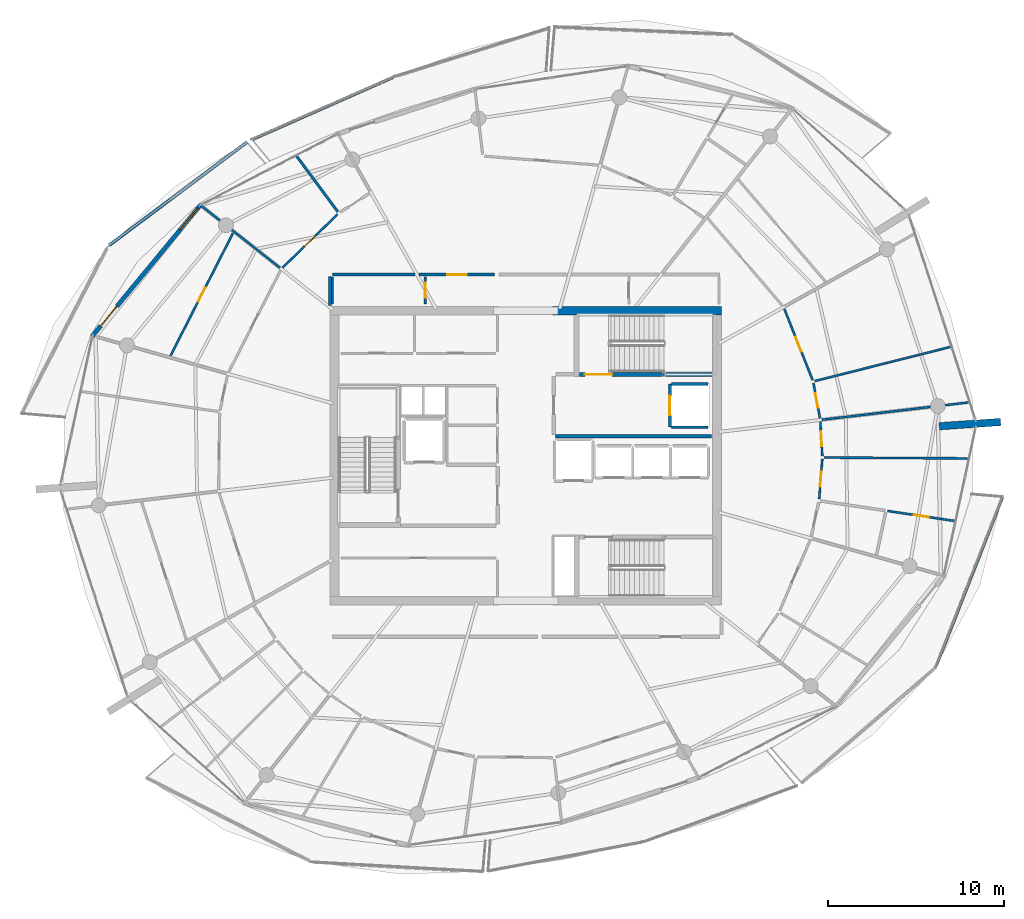
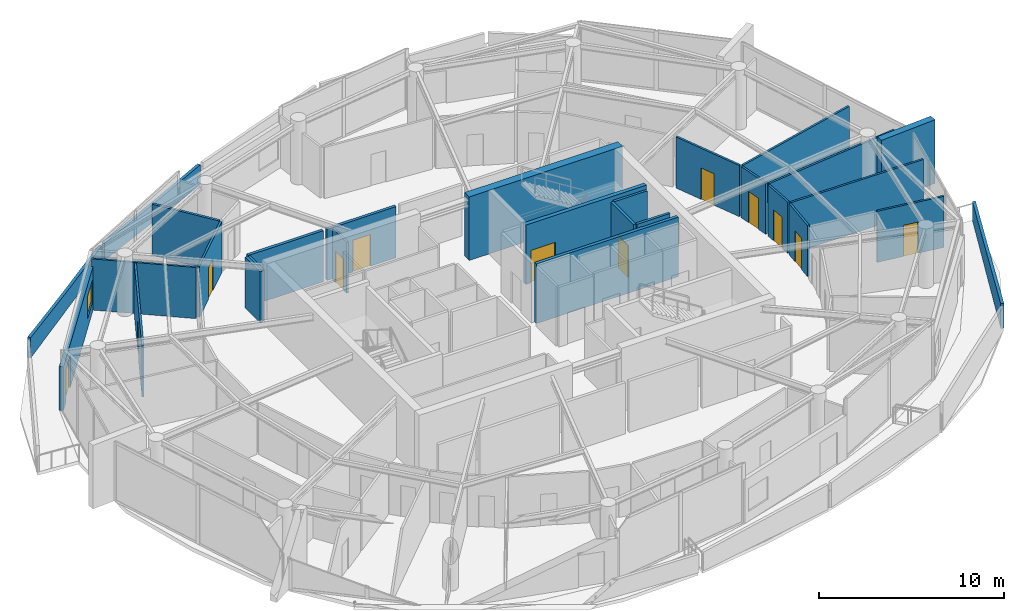
# One storey, part 13 of 20: 28 walls, 12 doors, 1 window, 13 openings.
"""IFC4 building model written with IfcOpenShell, lengths in metres."""

from ifc_helpers import new_model, si_unit, direction, frame, frame_2d, origin, place, context, subcontext, project, spatial, polyline, rectangle, outline, extrude, material, layer, layer_set, type_object, element, fill, save


model = new_model("IFC4")

# Units and contexts
model_context = context("Model", 3, precision=1e-05, world=origin(), true_north=direction((0.0, 1.0)))
body_context = subcontext(model_context, "Body", "Model", "MODEL_VIEW")
ifc_project = project(units=[si_unit("LENGTHUNIT", "METRE"), si_unit("AREAUNIT", "SQUARE_METRE"), si_unit("VOLUMEUNIT", "CUBIC_METRE"), si_unit("PLANEANGLEUNIT", "RADIAN"), si_unit("MASSUNIT", "GRAM", prefix="KILO")], contexts=[model_context])

# Site, building, storey
site_placement = place(None, origin())
site = spatial("IfcSite", under=ifc_project, at=site_placement, CompositionType="ELEMENT")
building_placement = place(site_placement, origin())
building = spatial("IfcBuilding", under=site, at=building_placement, Name="Kazma Halo Residences", CompositionType="ELEMENT")
storey_placement = place(building_placement, frame((0.0, 0.0, 317.89990234375)))
storey = spatial("IfcBuildingStorey", under=building, at=storey_placement, Name="L80", CompositionType="ELEMENT", Elevation=317.89990234375)

# Walls
ifc_material_1 = material(Name="White Concrete C50/60 Balustrade", Category="concrete")
ifc_layer_1 = layer(ifc_material_1, 0.179931640625)
ifc_layer_set_1 = layer_set([ifc_layer_1], Name="White Concrete C50/60 Balustrade")
wall_type_1 = type_object("IfcWallType", Name="WL-BAL-WAVE-180", PredefinedType="PARAPET", material=ifc_layer_set_1)
wall_1_placement = place(storey_placement, frame((40.879150390625, 63.529052734375, 0.0), z_axis=(0.0, 0.0, 1.0), x_axis=(-0.914812827608, -0.403878063831, 0.0)))
element("IfcWall", 1, at=wall_1_placement, inside=storey, type_object=wall_type_1, Name="L80 white wave balustrade wall NNW.2", PredefinedType="PARAPET", context=body_context, shape_type="SweptSolid", body=[
    extrude(outline(polyline([(0.0, 0.0), (8.79345703125, 0.0), (8.793701171875, 1.1201171875), (4.396728515625, 1.18212890625), (0.0, 1.34814453125), (0.0, 0.0)])), frame((0.0, 0.08984375, 0.0), z_axis=(0.0, -1.0, 0.0), x_axis=(1.0, 0.0, 0.0)), (0.0, 0.0, 1.0), 0.179931640625),
])
wall_2_placement = place(storey_placement, frame((32.572998046875, 59.841064453125, 0.0), z_axis=(0.0, 0.0, 1.0), x_axis=(-0.800350065213, -0.599532962491, 0.0)))
element("IfcWall", 2, at=wall_2_placement, inside=storey, type_object=wall_type_1, Name="L80 white wave balustrade wall NW.1", PredefinedType="PARAPET", context=body_context, shape_type="SweptSolid", body=[
    extrude(outline(polyline([(0.0, 0.0), (9.787841796875, 0.0), (9.787841796875, 1.34814453125), (4.89404296875, 1.18212890625), (0.0, 1.1201171875), (0.0, 0.0)])), frame((0.0, 0.08984375, 0.0), z_axis=(0.0, -1.0, 0.0), x_axis=(1.0, 0.0, 0.0)), (0.0, 0.0, 1.0), 0.179931640625),
])
wall_3_placement = place(storey_placement, frame((71.75537109375, 30.030029296875, 0.0), z_axis=(0.0, 0.0, 1.0), x_axis=(0.36569397139, 0.930735149916, 0.0)))
element("IfcWall", 3, at=wall_3_placement, inside=storey, type_object=wall_type_1, Name="L80 white wave balustrade wall SE.2", PredefinedType="PARAPET", context=body_context, shape_type="SweptSolid", body=[
    extrude(outline(polyline([(0.0, 0.0), (10.349853515625, 0.0), (10.35009765625, 1.233154296875), (5.175048828125, 1.418212890625), (0.0, 1.632080078125), (0.0, 0.0)])), frame((0.0, 0.08984375, 0.0), z_axis=(0.0, -1.0, 0.0), x_axis=(1.0, 0.0, 0.0)), (0.0, 0.0, 1.0), 0.179931640625),
])
ifc_material_2 = material(Name="Pale Concrete C60/75", Category="concrete")
ifc_layer_2 = layer(ifc_material_2, 0.419921875)
ifc_layer_set_2 = layer_set([ifc_layer_2], Name="Pale Concrete C60/75")
wall_type_2 = type_object("IfcWallType", Name="WL-BLADE-420", PredefinedType="SOLIDWALL", material=ifc_layer_set_2)
wall_4_placement = place(storey_placement, frame((71.94091796875, 43.674072265625, 0.0), z_axis=(0.0, 0.0, 1.0), x_axis=(0.997564163539, 0.069754853754, 0.0)))
element("IfcWall", 4, at=wall_4_placement, inside=storey, type_object=wall_type_2, Name="L80 pale concrete structural blade fin wall BW-04", PredefinedType="SOLIDWALL", context=body_context, shape_type="SweptSolid", body=[
    extrude(rectangle(XDim=3.5, YDim=0.419921875, at=frame_2d((1.75, 0.0))), origin(), (0.0, 0.0, 1.0), 4.2001953125),
])
ifc_material_3 = material(Name="Concrete C60/75", Category="concrete")
ifc_layer_3 = layer(ifc_material_3, 0.5)
ifc_layer_set_3 = layer_set([ifc_layer_3], Name="Concrete C60/75")
wall_type_3 = type_object("IfcWallType", Name="WL-CORE-500", PredefinedType="SHEAR", material=ifc_layer_set_3)
wall_5_placement = place(storey_placement, frame((49.949951171875, 50.25, 0.0), z_axis=(0.0, 0.0, 1.0), x_axis=(1.0, 0.0, 0.0)))
element("IfcWall", 5, at=wall_5_placement, inside=storey, type_object=wall_type_3, Name="L80 central core shear wall NE", PredefinedType="SHEAR", context=body_context, shape_type="SweptSolid", body=[
    extrude(rectangle(XDim=9.60009765625, YDim=0.5, at=frame_2d((4.800048828125, 0.0))), origin(), (0.0, 0.0, 1.0), 4.2001953125),
])

# Wall, opening, door
ifc_material_4 = material(Name="Acoustic Twin-Stud Gypsum")
ifc_layer_4 = layer(ifc_material_4, 0.179931640625)
ifc_layer_set_4 = layer_set([ifc_layer_4], Name="Acoustic Twin-Stud Gypsum")
wall_type_4 = type_object("IfcWallType", Name="WL-DEM-180", PredefinedType="PARTITIONING", material=ifc_layer_set_4)
wall_6_placement = place(storey_placement, frame((46.660888671875, 52.300048828125, 0.0), z_axis=(0.0, 0.0, 1.0), x_axis=(-1.0, 0.0, 0.0)))
wall_6 = element("IfcWall", 6, at=wall_6_placement, inside=storey, type_object=wall_type_4, Name="L80 Penthouse 1 entrance corridor wall", PredefinedType="PARTITIONING", context=body_context, shape_type="SweptSolid", body=[
    extrude(rectangle(XDim=4.30908203125, YDim=0.179931640625, at=frame_2d((2.154541015625, 0.0))), origin(), (0.0, 0.0, 1.0), 3.380126953125),
])
opening_1_placement = place(wall_6_placement, frame((1.6044921875, 0.0, 0.0)))
opening_1 = element("IfcOpeningElement", 7, at=opening_1_placement, cuts=wall_6, Name="Opening DA-1100", PredefinedType="OPENING", context=body_context, shape_type="SweptSolid", body=[
    extrude(rectangle(XDim=1.10009765625, YDim=2.10009765625, at=frame_2d((0.550048828125, 1.050048828125))), frame((0.0, 0.099853515625, 0.0), z_axis=(0.0, -1.0, 0.0), x_axis=(1.0, 0.0, 0.0)), (0.0, 0.0, 1.0), 0.199951171875),
])
ifc_material_5 = material(Name="Acoustic Walnut Fire Leaf")
door_type_1 = type_object("IfcDoorType", Name="DR-FD60-1100", OperationType="NOTDEFINED", PredefinedType="DOOR", material=ifc_material_5)
door_1_placement = place(opening_1_placement, origin())
door_1 = element("IfcDoor", 8, at=door_1_placement, inside=storey, type_object=door_type_1, Name="L80 Penthouse 1 entrance fire door", OperationType="SINGLE_SWING_RIGHT", OverallHeight=2.10009765625, OverallWidth=1.10009765625, PredefinedType="DOOR", context=body_context, shape_type="SweptSolid", body=[
    extrude(rectangle(XDim=1.10009765625, YDim=2.10009765625, at=frame_2d((0.550048828125, 1.050048828125))), frame((0.0, 0.02490234375, 0.0), z_axis=(0.0, -1.0, 0.0), x_axis=(1.0, 0.0, 0.0)), (0.0, 0.0, 1.0), 0.050048828125),
])
fill(opening_1, door_1)

# Walls
wall_7_placement = place(storey_placement, frame((42.11181640625, 52.300048828125, 0.0), z_axis=(0.0, 0.0, 1.0), x_axis=(-1.0, 0.0, 0.0)))
element("IfcWall", 9, at=wall_7_placement, inside=storey, type_object=wall_type_4, Name="L80 Penthouse 1 inner wall 4", PredefinedType="PARTITIONING", context=body_context, shape_type="SweptSolid", body=[
    extrude(rectangle(XDim=4.69189453125, YDim=0.179931640625, at=frame_2d((2.345947265625, 0.0))), origin(), (0.0, 0.0, 1.0), 3.380126953125),
])
wall_8_placement = place(storey_placement, frame((37.300048828125, 52.179931640625, 0.0), z_axis=(0.0, 0.0, 1.0), x_axis=(0.0, -1.0, 0.0)))
element("IfcWall", 10, at=wall_8_placement, inside=storey, type_object=wall_type_4, Name="L80 Penthouse 1 inner wall 4", PredefinedType="PARTITIONING", context=body_context, shape_type="SweptSolid", body=[
    extrude(rectangle(XDim=1.624755859375, YDim=0.179931640625, at=frame_2d((0.8125, 0.0))), origin(), (0.0, 0.0, 1.0), 3.380126953125),
])

# Wall, openings, door, window
ifc_material_6 = material(Name="Insulated Pale-Metal Composite Wall")
ifc_layer_5 = layer(ifc_material_6, 0.239990234375)
ifc_layer_set_5 = layer_set([ifc_layer_5], Name="Insulated Pale-Metal Composite Wall")
wall_type_5 = type_object("IfcWallType", Name="WL-EXT-HOST-240", PredefinedType="SOLIDWALL", material=ifc_layer_set_5)
wall_9_placement = place(storey_placement, frame((29.955322265625, 56.288818359375, 0.0), z_axis=(0.0, 0.0, 1.0), x_axis=(-0.636803612721, -0.771026042897, 0.0)))
wall_9 = element("IfcWall", 11, at=wall_9_placement, inside=storey, type_object=wall_type_5, Name="L80 exterior terrace-access wall B06", PredefinedType="SOLIDWALL", context=body_context, shape_type="SweptSolid", body=[
    extrude(rectangle(XDim=9.7275390625, YDim=0.239990234375, at=frame_2d((4.86376953125, 0.0))), origin(), (0.0, 0.0, 1.0), 2.89013671875),
])
opening_2_placement = place(wall_9_placement, frame((7.5078125, 0.0, 0.0)))
opening_2 = element("IfcOpeningElement", 12, at=opening_2_placement, cuts=wall_9, Name="Opening DTR-1600", PredefinedType="OPENING", context=body_context, shape_type="SweptSolid", body=[
    extrude(rectangle(XDim=1.449951171875, YDim=2.14990234375, at=frame_2d((0.72509765625, 1.074951171875))), frame((0.0, 0.1298828125, 0.0), z_axis=(0.0, -1.0, 0.0), x_axis=(1.0, 0.0, 0.0)), (0.0, 0.0, 1.0), 0.260009765625),
])
opening_3_placement = place(wall_9_placement, frame((0.280029296875, 0.0, 0.64990234375)))
opening_3 = element("IfcOpeningElement", 13, at=opening_3_placement, cuts=wall_9, Name="Opening W-1800", PredefinedType="OPENING", context=body_context, shape_type="SweptSolid", body=[
    extrude(rectangle(XDim=1.60009765625, YDim=1.5, at=frame_2d((0.800048828125, 0.75))), frame((0.0, 0.1298828125, 0.0), z_axis=(0.0, -1.0, 0.0), x_axis=(1.0, 0.0, 0.0)), (0.0, 0.0, 1.0), 0.260009765625),
])
ifc_material_7 = material(Name="Aluminium AW-6063 T6 Double-Glazed Terrace Door", Category="aluminium")
door_type_2 = type_object("IfcDoorType", Name="DR-EXT-TERR-1600", OperationType="NOTDEFINED", PredefinedType="DOOR", material=ifc_material_7)
door_2_placement = place(opening_2_placement, origin())
door_2 = element("IfcDoor", 14, at=door_2_placement, inside=storey, type_object=door_type_2, Name="L80 B06 balcony terrace door", OperationType="DOUBLE_DOOR_SLIDING", OverallHeight=2.14990234375, OverallWidth=1.449951171875, PredefinedType="DOOR", context=body_context, shape_type="SweptSolid", body=[
    extrude(rectangle(XDim=1.449951171875, YDim=2.14990234375, at=frame_2d((0.72509765625, 1.074951171875))), frame((0.0, 0.02490234375, 0.0), z_axis=(0.0, -1.0, 0.0), x_axis=(1.0, 0.0, 0.0)), (0.0, 0.0, 1.0), 0.050048828125),
])
fill(opening_2, door_2)
ifc_material_8 = material(Name="Clear Triple-Silver Low-E Glass in Aluminium AW-6063 T6 Frame", Category="aluminium")
window_type = type_object("IfcWindowType", Name="WIN-RES-1800", PartitioningType="DOUBLE_PANEL_VERTICAL", PredefinedType="WINDOW", material=ifc_material_8)
window_placement = place(opening_3_placement, origin())
window = element("IfcWindow", 15, at=window_placement, inside=storey, type_object=window_type, Name="L80 B06 apartment window", OverallHeight=1.5, OverallWidth=1.60009765625, PartitioningType="SINGLE_PANEL", PredefinedType="WINDOW", context=body_context, shape_type="SweptSolid", body=[
    extrude(rectangle(XDim=1.60009765625, YDim=1.5, at=frame_2d((0.800048828125, 0.75))), frame((0.0, 0.030029296875, 0.0), z_axis=(0.0, -1.0, 0.0), x_axis=(1.0, 0.0, 0.0)), (0.0, 0.0, 1.0), 0.06005859375),
])
fill(opening_3, window)

# Wall, opening, door
ifc_material_9 = material(Name="Fire-Rated Blockwork Masonry", Category="masonry")
ifc_layer_6 = layer(ifc_material_9, 0.199951171875)
ifc_layer_set_6 = layer_set([ifc_layer_6], Name="Fire-Rated Blockwork Masonry")
wall_type_6 = type_object("IfcWallType", Name="WL-FLB-200", PredefinedType="PARTITIONING", material=ifc_layer_set_6)
wall_10_placement = place(storey_placement, frame((56.6201171875, 46.080078125, 0.0), z_axis=(0.0, 0.0, 1.0), x_axis=(0.0, -1.0, 0.0)))
wall_10 = element("IfcWall", 16, at=wall_10_placement, inside=storey, type_object=wall_type_6, Name="L80 lift shaft FL-02 front wall", PredefinedType="PARTITIONING", context=body_context, shape_type="SweptSolid", body=[
    extrude(rectangle(XDim=2.4599609375, YDim=0.159912109375, at=frame_2d((1.22998046875, 0.0))), origin(), (0.0, 0.0, 1.0), 3.940185546875),
])
opening_4_placement = place(wall_10_placement, frame((0.679931640625, 0.0, 0.0)))
opening_4 = element("IfcOpeningElement", 17, at=opening_4_placement, cuts=wall_10, Name="Opening LD-FL-02", PredefinedType="OPENING", context=body_context, shape_type="SweptSolid", body=[
    extrude(rectangle(XDim=1.10009765625, YDim=2.10009765625, at=frame_2d((0.550048828125, 1.050048828125))), frame((0.0, 0.08984375, 0.0), z_axis=(0.0, -1.0, 0.0), x_axis=(1.0, 0.0, 0.0)), (0.0, 0.0, 1.0), 0.179931640625),
])
ifc_material_10 = material(Name="Stainless Steel Fire-Rated", Category="steel")
door_type_3 = type_object("IfcDoorType", Name="DR-LIFT-SLD-1100", OperationType="DOUBLE_DOOR_SLIDING", PredefinedType="DOOR", material=ifc_material_10)
door_3_placement = place(opening_4_placement, origin())
door_3 = element("IfcDoor", 18, at=door_3_placement, inside=storey, type_object=door_type_3, Name="L80 lift FL-02 sliding landing door", OperationType="DOUBLE_DOOR_SLIDING", OverallHeight=2.10009765625, OverallWidth=1.10009765625, PredefinedType="DOOR", context=body_context, shape_type="SweptSolid", body=[
    extrude(rectangle(XDim=1.10009765625, YDim=2.10009765625, at=frame_2d((0.550048828125, 1.050048828125))), frame((0.0, 0.02490234375, 0.0), z_axis=(0.0, -1.0, 0.0), x_axis=(1.0, 0.0, 0.0)), (0.0, 0.0, 1.0), 0.050048828125),
])
fill(opening_4, door_3)

# Walls
for number, where, z_axis, x_axis, name in (
    (19, (56.719970703125, 46.080078125, 0.0), (0.0, 0.0, 1.0), (1.0, 0.0, 0.0), "L80 lift shaft FL-02 side wall N"),
    (20, (56.719970703125, 43.6201171875, 0.0), (0.0, 0.0, 1.0), (1.0, 0.0, 0.0), "L80 lift shaft FL-02 side wall S"),
):
    element("IfcWall", number, at=place(storey_placement, frame(where, z_axis=z_axis, x_axis=x_axis)), inside=storey, type_object=wall_type_6, Name=name, PredefinedType="PARTITIONING", context=body_context, shape_type="SweptSolid", body=[
        extrude(rectangle(XDim=2.06005859375, YDim=0.159912109375, at=frame_2d((1.030029296875, 0.0))), origin(), (0.0, 0.0, 1.0), 3.940185546875),
    ])
wall_11_placement = place(storey_placement, frame((50.1201171875, 43.1201171875, 0.0), z_axis=(0.0, 0.0, 1.0), x_axis=(1.0, 0.0, 0.0)))
element("IfcWall", 21, at=wall_11_placement, inside=storey, type_object=wall_type_6, Name="L80 east firefighting lobby south smoke wall", PredefinedType="PARTITIONING", context=body_context, shape_type="SweptSolid", body=[
    extrude(rectangle(XDim=8.8798828125, YDim=0.199951171875, at=frame_2d((4.43994140625, 0.0))), origin(), (0.0, 0.0, 1.0), 3.940185546875),
])
ifc_material_11 = material(Name="Gypsum Plasterboard Partition")
ifc_layer_7 = layer(ifc_material_11, 0.125)
ifc_layer_set_7 = layer_set([ifc_layer_7], Name="Gypsum Plasterboard Partition")
wall_type_7 = type_object("IfcWallType", Name="WL-PART-125", PredefinedType="PARTITIONING", material=ifc_layer_set_7)
wall_12_placement = place(storey_placement, frame((37.43994140625, 50.6201171875, 0.0), z_axis=(0.0, 0.0, 1.0), x_axis=(0.0, 1.0, 0.0)))
element("IfcWall", 22, at=wall_12_placement, inside=storey, type_object=wall_type_7, Name="L80 west linen end wall", PredefinedType="PARTITIONING", context=body_context, shape_type="SweptSolid", body=[
    extrude(rectangle(XDim=1.539794921875, YDim=0.125, at=frame_2d((0.77001953125, 0.0))), origin(), (0.0, 0.0, 1.0), 3.380126953125),
])

# Wall, opening, door
wall_13_placement = place(storey_placement, frame((42.7099609375, 50.639892578125, 0.0), z_axis=(0.0, 0.0, 1.0), x_axis=(0.0, 1.0, 0.0)))
wall_13 = element("IfcWall", 23, at=wall_13_placement, inside=storey, type_object=wall_type_7, Name="L80 floor linen store door wall", PredefinedType="PARTITIONING", context=body_context, shape_type="SweptSolid", body=[
    extrude(rectangle(XDim=1.52001953125, YDim=0.125, at=frame_2d((0.760009765625, 0.0))), origin(), (0.0, 0.0, 1.0), 3.380126953125),
])
opening_5_placement = place(wall_13_placement, frame((0.3349609375, 0.0, 0.0)))
opening_5 = element("IfcOpeningElement", 24, at=opening_5_placement, cuts=wall_13, Name="Opening DS-850", PredefinedType="OPENING", context=body_context, shape_type="SweptSolid", body=[
    extrude(rectangle(XDim=0.85009765625, YDim=2.06005859375, at=frame_2d((0.425048828125, 1.030029296875))), frame((0.0, 0.072509765625, 0.0), z_axis=(0.0, -1.0, 0.0), x_axis=(1.0, 0.0, 0.0)), (0.0, 0.0, 1.0), 0.14501953125),
])
ifc_material_12 = material(Name="Painted Steel Access Leaf", Category="steel")
door_type_4 = type_object("IfcDoorType", Name="DR-SVC-850", OperationType="NOTDEFINED", PredefinedType="DOOR", material=ifc_material_12)
door_4_placement = place(opening_5_placement, origin())
door_4 = element("IfcDoor", 25, at=door_4_placement, inside=storey, type_object=door_type_4, Name="L80 floor linen store door", OperationType="SINGLE_SWING_LEFT", OverallHeight=2.06005859375, OverallWidth=0.85009765625, PredefinedType="DOOR", context=body_context, shape_type="SweptSolid", body=[
    extrude(rectangle(XDim=0.85009765625, YDim=2.06005859375, at=frame_2d((0.425048828125, 1.030029296875))), frame((0.0, 0.02490234375, 0.0), z_axis=(0.0, -1.0, 0.0), x_axis=(1.0, 0.0, 0.0)), (0.0, 0.0, 1.0), 0.050048828125),
])
fill(opening_5, door_4)

wall_14_placement = place(storey_placement, frame((37.727783203125, 55.73486328125, 0.0), z_axis=(0.0, 0.0, 1.0), x_axis=(-0.717843655189, -0.696204342636, 0.0)))
wall_14 = element("IfcWall", 26, at=wall_14_placement, inside=storey, type_object=wall_type_7, Name="L80 Penthouse 1 North Master Bedroom hall wall", PredefinedType="PARTITIONING", context=body_context, shape_type="SweptSolid", body=[
    extrude(rectangle(XDim=4.3662109375, YDim=0.125, at=frame_2d((2.18310546875, 0.0))), origin(), (0.0, 0.0, 1.0), 3.380126953125),
])
opening_6_placement = place(wall_14_placement, frame((1.733154296875, 0.0, 0.0)))
opening_6 = element("IfcOpeningElement", 27, at=opening_6_placement, cuts=wall_14, Name="Opening DI-950", PredefinedType="OPENING", context=body_context, shape_type="SweptSolid", body=[
    extrude(rectangle(XDim=0.89990234375, YDim=2.080078125, at=frame_2d((0.449951171875, 1.0400390625))), frame((0.0, 0.072509765625, 0.0), z_axis=(0.0, -1.0, 0.0), x_axis=(1.0, 0.0, 0.0)), (0.0, 0.0, 1.0), 0.14501953125),
])
ifc_material_13 = material(Name="Timber Veneer Flush Leaf", Category="wood")
door_type_5 = type_object("IfcDoorType", Name="DR-INT-950", OperationType="NOTDEFINED", PredefinedType="DOOR", material=ifc_material_13)
door_5_placement = place(opening_6_placement, origin())
door_5 = element("IfcDoor", 28, at=door_5_placement, inside=storey, type_object=door_type_5, Name="L80 Penthouse 1 North Master Bedroom door", OperationType="SINGLE_SWING_LEFT", OverallHeight=2.080078125, OverallWidth=0.89990234375, PredefinedType="DOOR", context=body_context, shape_type="SweptSolid", body=[
    extrude(rectangle(XDim=0.89990234375, YDim=2.080078125, at=frame_2d((0.449951171875, 1.0400390625))), frame((0.0, 0.02490234375, 0.0), z_axis=(0.0, -1.0, 0.0), x_axis=(1.0, 0.0, 0.0)), (0.0, 0.0, 1.0), 0.050048828125),
])
fill(opening_6, door_5)

# Wall
wall_15_placement = place(storey_placement, frame((34.443115234375, 52.6875, 0.0), z_axis=(0.0, 0.0, 1.0), x_axis=(-0.785329715116, 0.61907773224, 0.0)))
element("IfcWall", 29, at=wall_15_placement, inside=storey, type_object=wall_type_7, Name="L80 Penthouse 1 radial partition 5", PredefinedType="PARTITIONING", context=body_context, shape_type="SweptSolid", body=[
    extrude(rectangle(XDim=5.72998046875, YDim=0.125, at=frame_2d((2.864990234375, 0.0))), origin(), (0.0, 0.0, 1.0), 3.380126953125),
])

# Wall, opening, door
wall_16_placement = place(storey_placement, frame((31.771728515625, 54.656005859375, 0.0), z_axis=(0.0, 0.0, 1.0), x_axis=(-0.453983318952, -0.891010182946, 0.0)))
wall_16 = element("IfcWall", 30, at=wall_16_placement, inside=storey, type_object=wall_type_7, Name="L80 Penthouse 1 Inner Bedroom divider wall", PredefinedType="PARTITIONING", context=body_context, shape_type="SweptSolid", body=[
    extrude(rectangle(XDim=7.818115234375, YDim=0.125, at=frame_2d((3.9091796875, 0.0))), origin(), (0.0, 0.0, 1.0), 3.380126953125),
])
opening_7_placement = place(wall_16_placement, frame((3.458984375, 0.0, 0.0)))
opening_7 = element("IfcOpeningElement", 31, at=opening_7_placement, cuts=wall_16, Name="Opening DI-950", PredefinedType="OPENING", context=body_context, shape_type="SweptSolid", body=[
    extrude(rectangle(XDim=0.89990234375, YDim=2.080078125, at=frame_2d((0.449951171875, 1.0400390625))), frame((0.0, 0.072509765625, 0.0), z_axis=(0.0, -1.0, 0.0), x_axis=(1.0, 0.0, 0.0)), (0.0, 0.0, 1.0), 0.14501953125),
])
door_6_placement = place(opening_7_placement, origin())
door_6 = element("IfcDoor", 32, at=door_6_placement, inside=storey, type_object=door_type_5, Name="L80 Penthouse 1 Inner Bedroom door", OperationType="SINGLE_SWING_LEFT", OverallHeight=2.080078125, OverallWidth=0.89990234375, PredefinedType="DOOR", context=body_context, shape_type="SweptSolid", body=[
    extrude(rectangle(XDim=0.89990234375, YDim=2.080078125, at=frame_2d((0.449951171875, 1.0400390625))), frame((0.0, 0.02490234375, 0.0), z_axis=(0.0, -1.0, 0.0), x_axis=(1.0, 0.0, 0.0)), (0.0, 0.0, 1.0), 0.050048828125),
])
fill(opening_7, door_6)

wall_17_placement = place(storey_placement, frame((69.00244140625, 38.859375, 0.0), z_axis=(0.0, 0.0, 1.0), x_axis=(0.988996581297, -0.147938372921, 0.0)))
wall_17 = element("IfcWall", 33, at=wall_17_placement, inside=storey, type_object=wall_type_7, Name="L80 Penthouse 2 Gulf Walk-In Wardrobe partition wall", PredefinedType="PARTITIONING", context=body_context, shape_type="SweptSolid", body=[
    extrude(rectangle(XDim=3.8896484375, YDim=0.125, at=frame_2d((1.94482421875, 0.0))), origin(), (0.0, 0.0, 1.0), 3.380126953125),
])
opening_8_placement = place(wall_17_placement, frame((1.519775390625, 0.0, 0.0)))
opening_8 = element("IfcOpeningElement", 34, at=opening_8_placement, cuts=wall_17, Name="Opening DB-900", PredefinedType="OPENING", context=body_context, shape_type="SweptSolid", body=[
    extrude(rectangle(XDim=0.85009765625, YDim=2.06005859375, at=frame_2d((0.425048828125, 1.030029296875))), frame((0.0, 0.072509765625, 0.0), z_axis=(0.0, -1.0, 0.0), x_axis=(1.0, 0.0, 0.0)), (0.0, 0.0, 1.0), 0.14501953125),
])
ifc_material_14 = material(Name="Moisture-Sealed Timber Leaf", Category="wood")
door_type_6 = type_object("IfcDoorType", Name="DR-BTH-900", OperationType="NOTDEFINED", PredefinedType="DOOR", material=ifc_material_14)
door_7_placement = place(opening_8_placement, origin())
door_7 = element("IfcDoor", 35, at=door_7_placement, inside=storey, type_object=door_type_6, Name="L80 Penthouse 2 Gulf Walk-In Wardrobe door", OperationType="SINGLE_SWING_RIGHT", OverallHeight=2.06005859375, OverallWidth=0.85009765625, PredefinedType="DOOR", context=body_context, shape_type="SweptSolid", body=[
    extrude(rectangle(XDim=0.85009765625, YDim=2.06005859375, at=frame_2d((0.425048828125, 1.030029296875))), frame((0.0, 0.02490234375, 0.0), z_axis=(0.0, -1.0, 0.0), x_axis=(1.0, 0.0, 0.0)), (0.0, 0.0, 1.0), 0.050048828125),
])
fill(opening_8, door_7)

# Wall
wall_18_placement = place(storey_placement, frame((65.3857421875, 41.895751953125, 0.0), z_axis=(0.0, 0.0, 1.0), x_axis=(0.999982039273, -0.005993424085, 0.0)))
element("IfcWall", 36, at=wall_18_placement, inside=storey, type_object=wall_type_7, Name="L80 Penthouse 2 suite divider 14", PredefinedType="PARTITIONING", context=body_context, shape_type="SweptSolid", body=[
    extrude(rectangle(XDim=8.228515625, YDim=0.125, at=frame_2d((4.1142578125, 0.0))), origin(), (0.0, 0.0, 1.0), 3.380126953125),
])

# Wall, opening, door
wall_19_placement = place(storey_placement, frame((65.11279296875, 39.53173828125, 0.0), z_axis=(0.0, 0.0, 1.0), x_axis=(0.077136447431, 0.997020545665, 0.0)))
wall_19 = element("IfcWall", 37, at=wall_19_placement, inside=storey, type_object=wall_type_7, Name="L80 Penthouse 2 Primary Private Study hall wall", PredefinedType="PARTITIONING", context=body_context, shape_type="SweptSolid", body=[
    extrude(rectangle(XDim=2.29150390625, YDim=0.125, at=frame_2d((1.145751953125, 0.0))), origin(), (0.0, 0.0, 1.0), 3.380126953125),
])
opening_9_placement = place(wall_19_placement, frame((0.720703125, 0.0, 0.0)))
opening_9 = element("IfcOpeningElement", 38, at=opening_9_placement, cuts=wall_19, Name="Opening DB-900", PredefinedType="OPENING", context=body_context, shape_type="SweptSolid", body=[
    extrude(rectangle(XDim=0.85009765625, YDim=2.06005859375, at=frame_2d((0.425048828125, 1.030029296875))), frame((0.0, 0.072509765625, 0.0), z_axis=(0.0, -1.0, 0.0), x_axis=(1.0, 0.0, 0.0)), (0.0, 0.0, 1.0), 0.14501953125),
])
door_8_placement = place(opening_9_placement, origin())
door_8 = element("IfcDoor", 39, at=door_8_placement, inside=storey, type_object=door_type_6, Name="L80 Penthouse 2 Primary Private Study door", OperationType="SINGLE_SWING_LEFT", OverallHeight=2.06005859375, OverallWidth=0.85009765625, PredefinedType="DOOR", context=body_context, shape_type="SweptSolid", body=[
    extrude(rectangle(XDim=0.85009765625, YDim=2.06005859375, at=frame_2d((0.425048828125, 1.030029296875))), frame((0.0, 0.02490234375, 0.0), z_axis=(0.0, -1.0, 0.0), x_axis=(1.0, 0.0, 0.0)), (0.0, 0.0, 1.0), 0.050048828125),
])
fill(opening_9, door_8)

wall_20_placement = place(storey_placement, frame((65.291259765625, 41.976318359375, 0.0), z_axis=(0.0, 0.0, 1.0), x_axis=(-0.055932266986, 0.998434565462, 0.0)))
wall_20 = element("IfcWall", 40, at=wall_20_placement, inside=storey, type_object=wall_type_7, Name="L80 Penthouse 2 Secondary Master Bedroom hall wall", PredefinedType="PARTITIONING", context=body_context, shape_type="SweptSolid", body=[
    extrude(rectangle(XDim=1.9599609375, YDim=0.125, at=frame_2d((0.97998046875, 0.0))), origin(), (0.0, 0.0, 1.0), 3.380126953125),
])
opening_10_placement = place(wall_20_placement, frame((0.554931640625, 0.0, 0.0)))
opening_10 = element("IfcOpeningElement", 41, at=opening_10_placement, cuts=wall_20, Name="Opening DB-900", PredefinedType="OPENING", context=body_context, shape_type="SweptSolid", body=[
    extrude(rectangle(XDim=0.85009765625, YDim=2.06005859375, at=frame_2d((0.425048828125, 1.030029296875))), frame((0.0, 0.072509765625, 0.0), z_axis=(0.0, -1.0, 0.0), x_axis=(1.0, 0.0, 0.0)), (0.0, 0.0, 1.0), 0.14501953125),
])
door_9_placement = place(opening_10_placement, origin())
door_9 = element("IfcDoor", 42, at=door_9_placement, inside=storey, type_object=door_type_6, Name="L80 Penthouse 2 Secondary Master Bedroom door", OperationType="SINGLE_SWING_RIGHT", OverallHeight=2.06005859375, OverallWidth=0.85009765625, PredefinedType="DOOR", context=body_context, shape_type="SweptSolid", body=[
    extrude(rectangle(XDim=0.85009765625, YDim=2.06005859375, at=frame_2d((0.425048828125, 1.030029296875))), frame((0.0, 0.02490234375, 0.0), z_axis=(0.0, -1.0, 0.0), x_axis=(1.0, 0.0, 0.0)), (0.0, 0.0, 1.0), 0.050048828125),
])
fill(opening_10, door_9)

# Walls
wall_21_placement = place(storey_placement, frame((65.275390625, 44.044677734375, 0.0), z_axis=(0.0, 0.0, 1.0), x_axis=(0.993069210767, 0.117531028353, 0.0)))
element("IfcWall", 43, at=wall_21_placement, inside=storey, type_object=wall_type_7, Name="L80 Penthouse 2 radial partition 15", PredefinedType="PARTITIONING", context=body_context, shape_type="SweptSolid", body=[
    extrude(rectangle(XDim=8.43994140625, YDim=0.125, at=frame_2d((4.219970703125, 0.0))), origin(), (0.0, 0.0, 1.0), 3.380126953125),
])
wall_22_placement = place(storey_placement, frame((64.860107421875, 46.244384765625, 0.0), z_axis=(0.0, 0.0, 1.0), x_axis=(0.969745005786, 0.244120101083, 0.0)))
element("IfcWall", 44, at=wall_22_placement, inside=storey, type_object=wall_type_7, Name="L80 Penthouse 2 mid-bay wall 15", PredefinedType="PARTITIONING", context=body_context, shape_type="SweptSolid", body=[
    extrude(rectangle(XDim=8.0107421875, YDim=0.125, at=frame_2d((4.00537109375, 0.0))), origin(), (0.0, 0.0, 1.0), 3.380126953125),
])

# Wall, opening, door
wall_23_placement = place(storey_placement, frame((65.157958984375, 44.131103515625, 0.0), z_axis=(0.0, 0.0, 1.0), x_axis=(-0.181226197609, 0.98344143969, 0.0)))
wall_23 = element("IfcWall", 45, at=wall_23_placement, inside=storey, type_object=wall_type_7, Name="L80 Penthouse 2 East Wine Pantry Store hall wall", PredefinedType="PARTITIONING", context=body_context, shape_type="SweptSolid", body=[
    extrude(rectangle(XDim=2.04638671875, YDim=0.125, at=frame_2d((1.023193359375, 0.0))), origin(), (0.0, 0.0, 1.0), 3.380126953125),
])
opening_11_placement = place(wall_23_placement, frame((0.59814453125, 0.0, 0.0)))
opening_11 = element("IfcOpeningElement", 46, at=opening_11_placement, cuts=wall_23, Name="Opening DB-900", PredefinedType="OPENING", context=body_context, shape_type="SweptSolid", body=[
    extrude(rectangle(XDim=0.85009765625, YDim=2.06005859375, at=frame_2d((0.425048828125, 1.030029296875))), frame((0.0, 0.072509765625, 0.0), z_axis=(0.0, -1.0, 0.0), x_axis=(1.0, 0.0, 0.0)), (0.0, 0.0, 1.0), 0.14501953125),
])
door_10_placement = place(opening_11_placement, origin())
door_10 = element("IfcDoor", 47, at=door_10_placement, inside=storey, type_object=door_type_6, Name="L80 Penthouse 2 East Wine Pantry Store door", OperationType="SINGLE_SWING_RIGHT", OverallHeight=2.06005859375, OverallWidth=0.85009765625, PredefinedType="DOOR", context=body_context, shape_type="SweptSolid", body=[
    extrude(rectangle(XDim=0.85009765625, YDim=2.06005859375, at=frame_2d((0.425048828125, 1.030029296875))), frame((0.0, 0.02490234375, 0.0), z_axis=(0.0, -1.0, 0.0), x_axis=(1.0, 0.0, 0.0)), (0.0, 0.0, 1.0), 0.050048828125),
])
fill(opening_11, door_10)

wall_24_placement = place(storey_placement, frame((64.7431640625, 46.296630859375, 0.0), z_axis=(0.0, 0.0, 1.0), x_axis=(-0.369569971378, 0.929202903706, 0.0)))
wall_24 = element("IfcWall", 48, at=wall_24_placement, inside=storey, type_object=wall_type_7, Name="L80 Penthouse 2 West Formal Dining Room hall wall", PredefinedType="PARTITIONING", context=body_context, shape_type="SweptSolid", body=[
    extrude(rectangle(XDim=4.371337890625, YDim=0.125, at=frame_2d((2.185546875, 0.0))), origin(), (0.0, 0.0, 1.0), 3.380126953125),
])
opening_12_placement = place(wall_24_placement, frame((1.735595703125, 0.0, 0.0)))
opening_12 = element("IfcOpeningElement", 49, at=opening_12_placement, cuts=wall_24, Name="Opening DI-950", PredefinedType="OPENING", context=body_context, shape_type="SweptSolid", body=[
    extrude(rectangle(XDim=0.89990234375, YDim=2.080078125, at=frame_2d((0.449951171875, 1.0400390625))), frame((0.0, 0.072509765625, 0.0), z_axis=(0.0, -1.0, 0.0), x_axis=(1.0, 0.0, 0.0)), (0.0, 0.0, 1.0), 0.14501953125),
])
door_11_placement = place(opening_12_placement, origin())
door_11 = element("IfcDoor", 50, at=door_11_placement, inside=storey, type_object=door_type_5, Name="L80 Penthouse 2 West Formal Dining Room door", OperationType="SINGLE_SWING_LEFT", OverallHeight=2.080078125, OverallWidth=0.89990234375, PredefinedType="DOOR", context=body_context, shape_type="SweptSolid", body=[
    extrude(rectangle(XDim=0.89990234375, YDim=2.080078125, at=frame_2d((0.449951171875, 1.0400390625))), frame((0.0, 0.02490234375, 0.0), z_axis=(0.0, -1.0, 0.0), x_axis=(1.0, 0.0, 0.0)), (0.0, 0.0, 1.0), 0.050048828125),
])
fill(opening_12, door_11)

ifc_material_15 = material(Name="Concrete C50/60", Category="concrete")
ifc_layer_8 = layer(ifc_material_15, 0.25)
ifc_layer_set_8 = layer_set([ifc_layer_8], Name="Concrete C50/60")
wall_type_8 = type_object("IfcWallType", Name="WL-SHF-250", PredefinedType="SOLIDWALL", material=ifc_layer_set_8)
wall_25_placement = place(storey_placement, frame((51.47998046875, 46.6201171875, 0.0), z_axis=(0.0, 0.0, 1.0), x_axis=(1.0, 0.0, 0.0)))
wall_25 = element("IfcWall", 51, at=wall_25_placement, inside=storey, type_object=wall_type_8, Name="L80 exit stair ST-02 enclosure wall", PredefinedType="SOLIDWALL", context=body_context, shape_type="SweptSolid", body=[
    extrude(rectangle(XDim=7.5400390625, YDim=0.25, at=frame_2d((3.77001953125, 0.0))), origin(), (0.0, 0.0, 1.0), 3.940185546875),
])
opening_13_placement = place(wall_25_placement, frame((0.300048828125, 0.0, 0.0)))
opening_13 = element("IfcOpeningElement", 52, at=opening_13_placement, cuts=wall_25, Name="Opening D-ST2", PredefinedType="OPENING", context=body_context, shape_type="SweptSolid", body=[
    extrude(rectangle(XDim=1.550048828125, YDim=2.14990234375, at=frame_2d((0.77490234375, 1.074951171875))), frame((0.0, 0.135009765625, 0.0), z_axis=(0.0, -1.0, 0.0), x_axis=(1.0, 0.0, 0.0)), (0.0, 0.0, 1.0), 0.27001953125),
])
ifc_material_16 = material(Name="Fire-Rated Double Steel Leaf", Category="steel")
door_type_7 = type_object("IfcDoorType", Name="DR-FD90-1550", OperationType="NOTDEFINED", PredefinedType="DOOR", material=ifc_material_16)
door_12_placement = place(opening_13_placement, origin())
door_12 = element("IfcDoor", 53, at=door_12_placement, inside=storey, type_object=door_type_7, Name="L80 exit stair ST-02 fire door", OperationType="DOUBLE_DOOR_SINGLE_SWING", OverallHeight=2.14990234375, OverallWidth=1.550048828125, PredefinedType="DOOR", context=body_context, shape_type="SweptSolid", body=[
    extrude(rectangle(XDim=1.550048828125, YDim=2.14990234375, at=frame_2d((0.77490234375, 1.074951171875))), frame((0.0, 0.02490234375, 0.0), z_axis=(0.0, -1.0, 0.0), x_axis=(1.0, 0.0, 0.0)), (0.0, 0.0, 1.0), 0.050048828125),
])
fill(opening_13, door_12)

# Wall
ifc_material_17 = material(Name="Moisture-Resistant Gypsum")
ifc_layer_9 = layer(ifc_material_17, 0.14990234375)
ifc_layer_set_9 = layer_set([ifc_layer_9], Name="Moisture-Resistant Gypsum")
wall_type_9 = type_object("IfcWallType", Name="WL-WET-150", PredefinedType="PARTITIONING", material=ifc_layer_set_9)
wall_26_placement = place(storey_placement, frame((37.73876953125, 55.869873046875, 0.0), z_axis=(0.0, 0.0, 1.0), x_axis=(-0.594773749171, 0.803893144203, 0.0)))
element("IfcWall", 54, at=wall_26_placement, inside=storey, type_object=wall_type_9, Name="L80 Penthouse 1 West En-Suite Bathroom side wall", PredefinedType="PARTITIONING", context=body_context, shape_type="SweptSolid", body=[
    extrude(rectangle(XDim=3.963623046875, YDim=0.14990234375, at=frame_2d((1.98193359375, 0.0))), origin(), (0.0, 0.0, 1.0), 3.380126953125),
])

save(model, "model.ifc")
